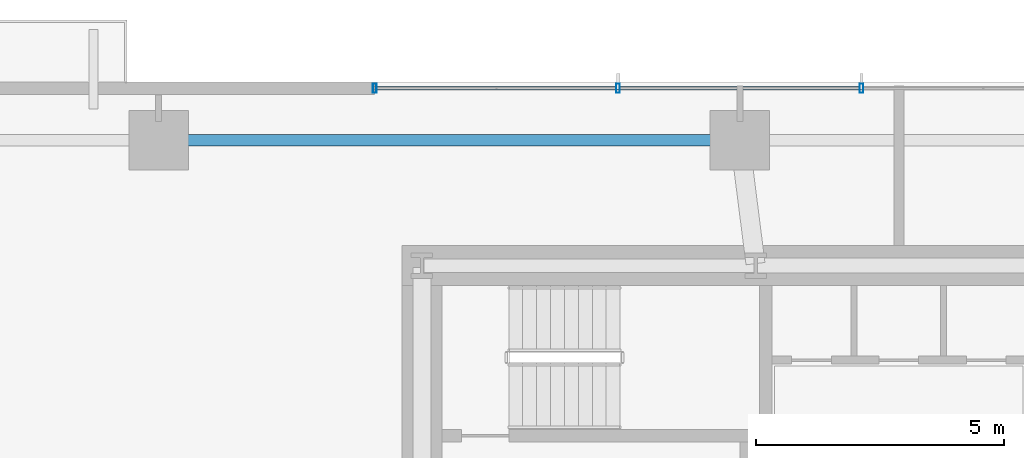
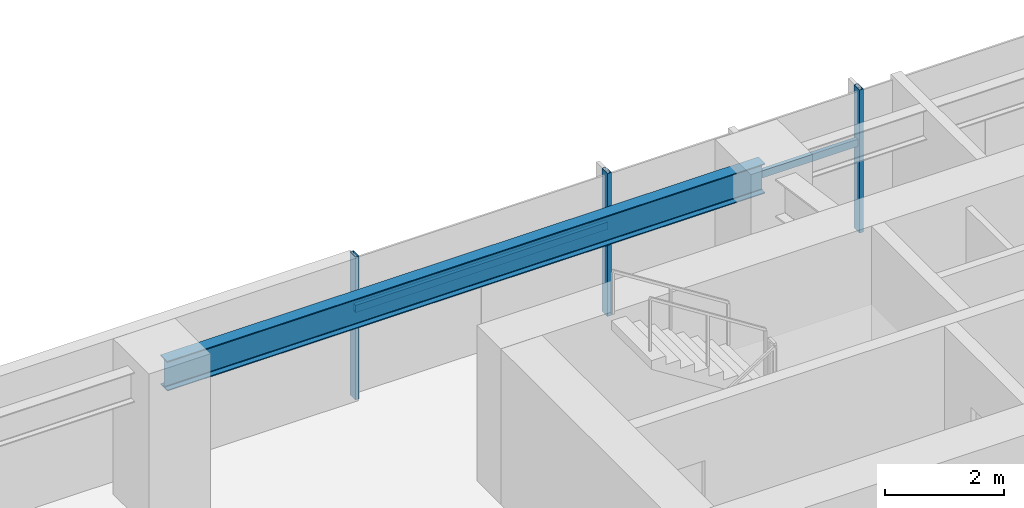
# One storey, part 10 of 25: 5 members, 1 beam, 1 element without a shape of its own.
"""IFC4 building model written with IfcOpenShell, lengths in metres."""

from ifc_helpers import new_model, si_unit, direction, frame, origin, origin_2d, place, context, subcontext, project, spatial, hollow_rectangle, i_section, extrude, source, transform, mapped, material, material_profile, profile_set, type_object, type_shapes, element, aggregate, save


model = new_model("IFC4")

# Units and contexts
model_context = context("Model", 3, precision=1e-05, world=origin(), true_north=direction((0.0, 1.0)))
body_context = subcontext(model_context, "Body", "Model", "MODEL_VIEW")
ifc_project = project(units=[si_unit("LENGTHUNIT", "METRE"), si_unit("AREAUNIT", "SQUARE_METRE"), si_unit("VOLUMEUNIT", "CUBIC_METRE"), si_unit("PLANEANGLEUNIT", "RADIAN"), si_unit("MASSUNIT", "GRAM", prefix="KILO")], contexts=[model_context])

# Site, building, storey
site_placement = place(None, origin())
site = spatial("IfcSite", under=ifc_project, at=site_placement, CompositionType="ELEMENT")
building_placement = place(site_placement, origin())
building = spatial("IfcBuilding", under=site, at=building_placement, Name="Astriad Promenade Condominiums", CompositionType="ELEMENT")
storey_placement = place(building_placement, frame((0.0, 0.0, 55.0)))
storey = spatial("IfcBuildingStorey", under=building, at=storey_placement, Name="L15", CompositionType="ELEMENT", Elevation=55.0)

# Beam
ifc_material_1 = material(Name="Steel ASTM A992 Grade 50", Category="steel")
ifc_material_profile_1 = material_profile(ifc_material_1, i_section(OverallWidth=0.22900390625, OverallDepth=0.612060546875, WebThickness=0.011962890625, FlangeThickness=0.01953125, FilletRadius=0.017822265625, at=origin_2d()), Name="W24X84")
ifc_profile_set_1 = profile_set([ifc_material_profile_1], Name="Steel ASTM A992 Grade 50")
beam_type = type_object("IfcBeamType", Name="STEEL SPANDREL BEAM W24X84", PredefinedType="SPANDREL", material=ifc_profile_set_1)
shared_shape_1 = source(origin(), body_context, "Body", "SweptSolid", [
    extrude(i_section(OverallWidth=0.22900390625, OverallDepth=0.612060546875, WebThickness=0.011962890625, FlangeThickness=0.01953125, FilletRadius=0.017822265625, at=origin_2d()), origin(), (0.0, 0.0, 1.0), 11.6201171875),
])
type_shapes(beam_type, [shared_shape_1])
beam_placement = place(storey_placement, frame((32.760009765625, 26.52001953125, 2.6337890625), z_axis=(-1.0, 0.0, 0.0), x_axis=(0.0, -1.0, 0.0)))
element("IfcBeam", 1, at=beam_placement, inside=storey, type_object=beam_type, Name="Perimeter Spandrel Beam SP-N2-L15", PredefinedType="SPANDREL", context=body_context, shape_type="MappedRepresentation", body=[
    mapped(shared_shape_1, transform((0.0, 0.0, 0.0), scale=1.0)),
])

# Curtain wall, members
ifc_material_2 = material(Name="Anodised aluminium Black Dark Glass Unitised", Category="aluminium")
curtain_wall_type = type_object("IfcCurtainWallType", Name="CW-B1-DARK", PredefinedType="USERDEFINED", material=ifc_material_2)
curtain_wall_placement = place(storey_placement, origin())
curtain_wall = element("IfcCurtainWall", 2, at=curtain_wall_placement, inside=storey, type_object=curtain_wall_type, Name="CW-L15-N", ObjectType="UNITISED_CURTAIN_WALL", PredefinedType="USERDEFINED")
ifc_material_3 = material(Name="Anodised aluminium 6063-T6 Black", Category="aluminium")
ifc_material_profile_2 = material_profile(ifc_material_3, hollow_rectangle(XDim=0.074951171875, YDim=0.18505859375, WallThickness=0.00439453125, at=origin_2d()), Name="ALU-MUL-75X185")
ifc_profile_set_2 = profile_set([ifc_material_profile_2], Name="Anodised aluminium 6063-T6 Black")
member_type_1 = type_object("IfcMemberType", Name="MUL-ALU-MUL-75X185", PredefinedType="MULLION", material=ifc_profile_set_2)
shared_shape_2 = source(origin(), body_context, "Body", "SweptSolid", [
    extrude(hollow_rectangle(XDim=0.074951171875, YDim=0.18505859375, WallThickness=0.00439453125, at=origin_2d()), origin(), (0.0, 0.0, 1.0), 2.93994140625),
])
type_shapes(member_type_1, [shared_shape_2])
member_1_placement = place(storey_placement, frame((25.449951171875, 27.570068359375, 0.0), z_axis=(0.0, 0.0, 1.0), x_axis=(1.0, 0.0, 0.0)))
member_1 = element("IfcMember", 3, at=member_1_placement, type_object=member_type_1, Name="CW-L15-N-MUL-00", PredefinedType="MULLION", context=body_context, shape_type="MappedRepresentation", body=[
    mapped(shared_shape_2, transform((0.0, 0.0, 0.0), scale=1.0)),
])
member_2_placement = place(storey_placement, frame((30.35009765625, 27.570068359375, 0.0), z_axis=(0.0, 0.0, 1.0), x_axis=(1.0, 0.0, 0.0)))
member_2 = element("IfcMember", 4, at=member_2_placement, type_object=member_type_1, Name="CW-L15-N-MUL-01", PredefinedType="MULLION", context=body_context, shape_type="MappedRepresentation", body=[
    mapped(shared_shape_2, transform((0.0, 0.0, 0.0), scale=1.0)),
])
member_3_placement = place(storey_placement, frame((35.25, 27.570068359375, 0.0), z_axis=(0.0, 0.0, 1.0), x_axis=(1.0, 0.0, 0.0)))
member_3 = element("IfcMember", 5, at=member_3_placement, type_object=member_type_1, Name="CW-L15-N-MUL-02", PredefinedType="MULLION", context=body_context, shape_type="MappedRepresentation", body=[
    mapped(shared_shape_2, transform((0.0, 0.0, 0.0), scale=1.0)),
])
ifc_material_profile_3 = material_profile(ifc_material_3, hollow_rectangle(XDim=0.074951171875, YDim=0.14990234375, WallThickness=0.004150390625, at=origin_2d()), Name="ALU-TRN-75X150")
ifc_profile_set_3 = profile_set([ifc_material_profile_3], Name="Anodised aluminium 6063-T6 Black")
member_type_2 = type_object("IfcMemberType", Name="TRN-ALU-TRN-75X150", PredefinedType="USERDEFINED", material=ifc_profile_set_3)
shared_shape_3 = source(origin(), body_context, "Body", "SweptSolid", [
    extrude(hollow_rectangle(XDim=0.074951171875, YDim=0.14990234375, WallThickness=0.004150390625, at=origin_2d()), origin(), (0.0, 0.0, 1.0), 4.900146484375),
])
member_4_placement = place(storey_placement, frame((25.449951171875, 27.570068359375, 1.82275390625), z_axis=(1.0, 0.0, 0.0), x_axis=(0.0, 1.0, 0.0)))
member_4 = element("IfcMember", 6, at=member_4_placement, type_object=member_type_2, Name="CW-L15-N-TRN-00-0", ObjectType="TRANSOM", PredefinedType="USERDEFINED", context=body_context, shape_type="MappedRepresentation", body=[
    mapped(shared_shape_3, transform((0.0, 0.0, 0.0), scale=1.0)),
])
shared_shape_4 = source(origin(), body_context, "Body", "SweptSolid", [
    extrude(hollow_rectangle(XDim=0.074951171875, YDim=0.14990234375, WallThickness=0.004150390625, at=origin_2d()), origin(), (0.0, 0.0, 1.0), 4.89990234375),
])
type_shapes(member_type_2, [shared_shape_3, shared_shape_4])
member_5_placement = place(storey_placement, frame((30.35009765625, 27.570068359375, 1.82275390625), z_axis=(1.0, 0.0, 0.0), x_axis=(0.0, 1.0, 0.0)))
member_5 = element("IfcMember", 7, at=member_5_placement, type_object=member_type_2, Name="CW-L15-N-TRN-01-0", ObjectType="TRANSOM", PredefinedType="USERDEFINED", context=body_context, shape_type="MappedRepresentation", body=[
    mapped(shared_shape_4, transform((0.0, 0.0, 0.0), scale=1.0)),
])
aggregate(curtain_wall, [member_1, member_2, member_3, member_4, member_5])

save(model, "model.ifc")
